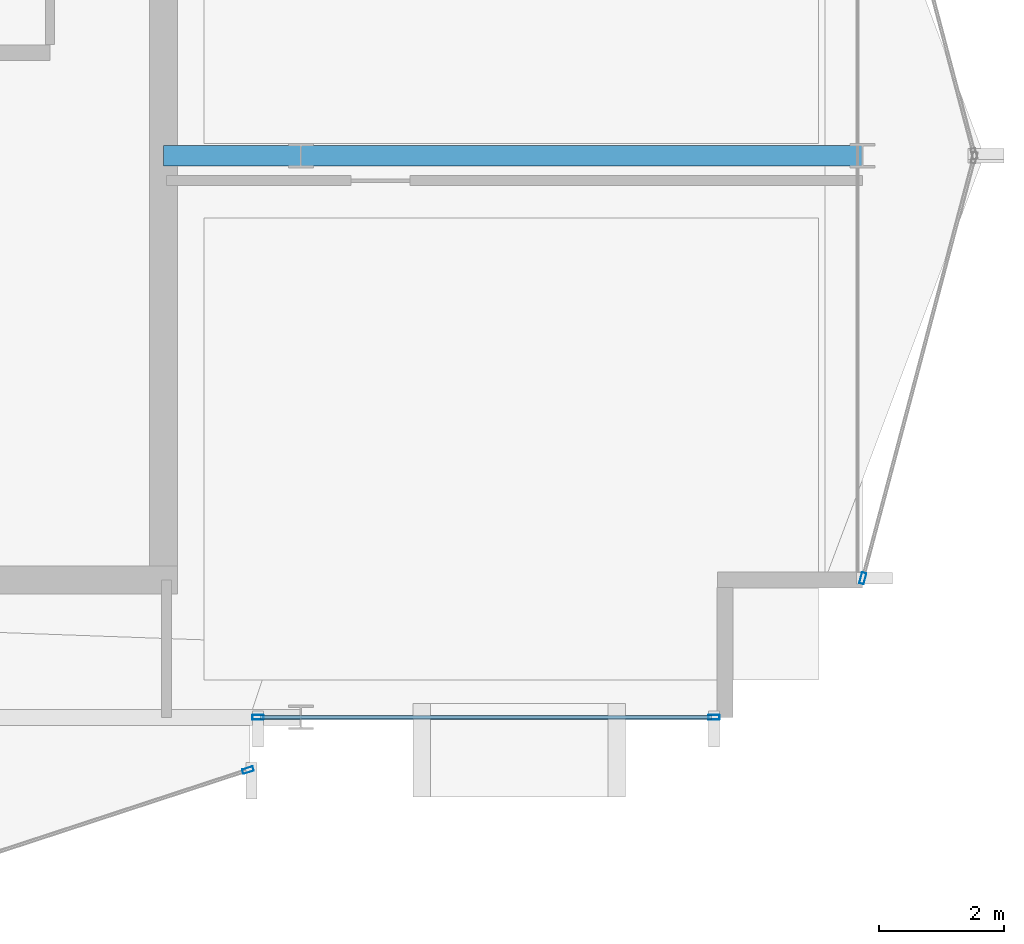
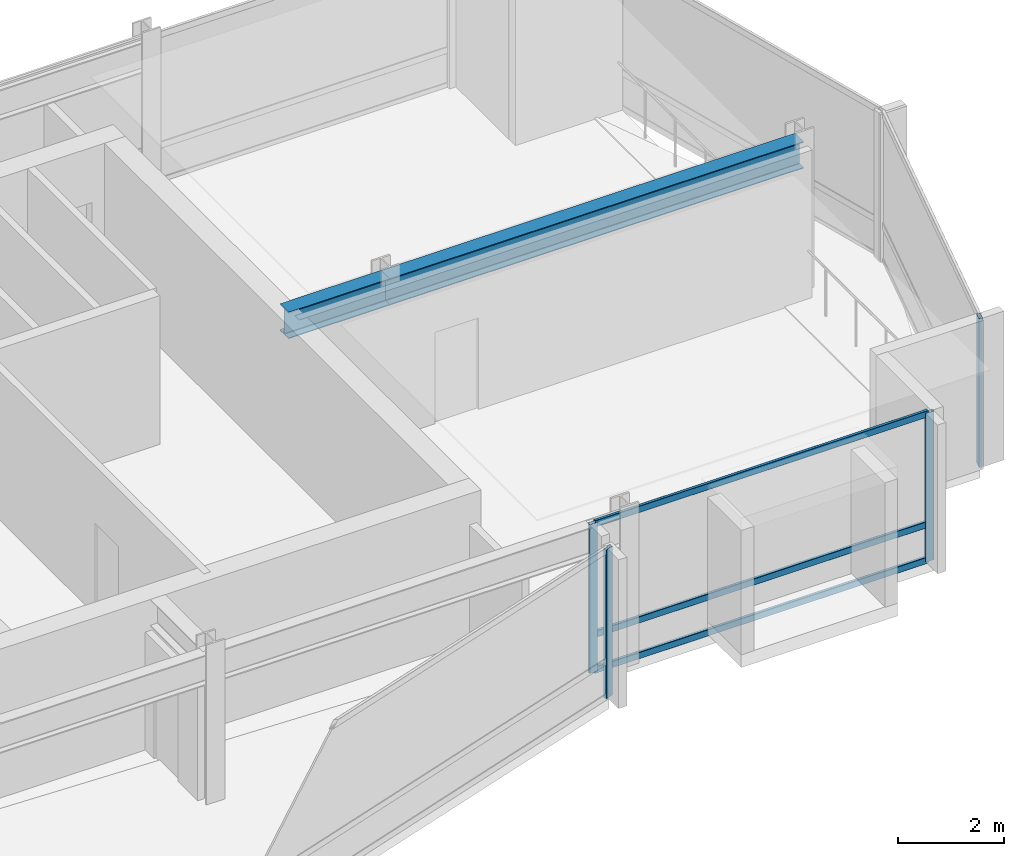
# One storey, part 10 of 27: 7 members, 2 beams, 3 elements without a shape of their own.
"""IFC4 building model written with IfcOpenShell, lengths in metres."""

from ifc_helpers import new_model, si_unit, direction, frame, origin, origin_2d, place, context, subcontext, project, spatial, hollow_rectangle, i_section, extrude, material, layer, layer_set, material_profile, profile_set, type_object, element, aggregate, save


model = new_model("IFC4")

# Units and contexts
model_context = context("Model", 3, precision=1e-05, world=origin(), true_north=direction((0.0, 1.0)))
body_context = subcontext(model_context, "Body", "Model", "MODEL_VIEW")
ifc_project = project(units=[si_unit("LENGTHUNIT", "METRE"), si_unit("AREAUNIT", "SQUARE_METRE"), si_unit("VOLUMEUNIT", "CUBIC_METRE"), si_unit("PLANEANGLEUNIT", "RADIAN"), si_unit("MASSUNIT", "GRAM", prefix="KILO")], contexts=[model_context])

# Site, building, storey
site_placement = place(None, origin())
site = spatial("IfcSite", under=ifc_project, at=site_placement, CompositionType="ELEMENT")
building_placement = place(site_placement, origin())
building = spatial("IfcBuilding", under=site, at=building_placement, Name="Solvaryn Broadcast Tower", CompositionType="ELEMENT")
storey_placement = place(building_placement, frame((0.0, 0.0, 224.699951171875)))
storey = spatial("IfcBuildingStorey", under=building, at=storey_placement, Name="L56", CompositionType="ELEMENT", Elevation=224.699951171875)

# Beams
ifc_material_1 = material(Name="Steel ASTM A992 Grade 50", Category="steel")
ifc_material_profile_1 = material_profile(ifc_material_1, i_section(OverallWidth=0.323974609375, OverallDepth=0.611083984375, WebThickness=0.0126953125, FlangeThickness=0.01904296875, FilletRadius=0.014892578125, at=origin_2d()))
ifc_profile_set_1 = profile_set([ifc_material_profile_1], Name="Steel ASTM A992 Grade 50")
beam_type = type_object("IfcBeamType", Name="BM-B1-W24X104", PredefinedType="BEAM", material=ifc_profile_set_1)
beam_1_placement = place(storey_placement, frame((45.0, 18.0, 3.114501953125), z_axis=(1.0, 0.0, 0.0), x_axis=(0.0, 1.0, 0.0)))
element("IfcBeam", 1, at=beam_1_placement, inside=storey, type_object=beam_type, Name="L56 Primary Beam X (45-54 @ Y=18)", PredefinedType="BEAM", context=body_context, shape_type="SweptSolid", body=[
    extrude(i_section(OverallWidth=0.323974609375, OverallDepth=0.611083984375, WebThickness=0.0126953125, FlangeThickness=0.01904296875, FilletRadius=0.014892578125, at=origin_2d()), origin(), (0.0, 0.0, 1.0), 9.0),
])
beam_2_placement = place(storey_placement, frame((42.800048828125, 18.0, 3.114501953125), z_axis=(1.0, 0.0, 0.0), x_axis=(0.0, 1.0, 0.0)))
element("IfcBeam", 2, at=beam_2_placement, inside=storey, type_object=beam_type, Name="L56 Core Tie Beam CTE3", PredefinedType="BEAM", context=body_context, shape_type="SweptSolid", body=[
    extrude(i_section(OverallWidth=0.323974609375, OverallDepth=0.611083984375, WebThickness=0.0126953125, FlangeThickness=0.01904296875, FilletRadius=0.014892578125, at=origin_2d()), origin(), (0.0, 0.0, 1.0), 2.199951171875),
])

# Curtain wall, member
ifc_material_2 = material(Name="Aluminium and Terracotta Unitised Curtain Wall", Category="masonry")
ifc_layer = layer(ifc_material_2, 0.199951171875)
ifc_layer_set = layer_set([ifc_layer], Name="CW-SYS2-LOWMID")
curtain_wall_type = type_object("IfcCurtainWallType", Name="CW-SYS2-LOWMID", PredefinedType="NOTDEFINED", material=ifc_layer_set)
curtain_wall_1_placement = place(storey_placement, origin())
curtain_wall_1 = element("IfcCurtainWall", 3, at=curtain_wall_1_placement, inside=storey, type_object=curtain_wall_type, Name="L56 Curtain Wall DR4", PredefinedType="NOTDEFINED")
ifc_material_3 = material(Name="Anodised Aluminium 6063-T6", Category="aluminium")
ifc_material_profile_2 = material_profile(ifc_material_3, hollow_rectangle(XDim=0.074951171875, YDim=0.179931640625, WallThickness=0.00390625, InnerFilletRadius=0.00390625, OuterFilletRadius=0.008056640625, at=origin_2d()))
ifc_profile_set_2 = profile_set([ifc_material_profile_2], Name="Anodised Aluminium 6063-T6")
member_type_1 = type_object("IfcMemberType", Name="CW-MUL-180", PredefinedType="MULLION", material=ifc_profile_set_2)
member_1_placement = place(storey_placement, frame((44.153564453125, 8.153564453125, 0.0), z_axis=(0.0, 0.0, 1.0), x_axis=(-0.311558717623, 0.950226902099, 0.0)))
member_1 = element("IfcMember", 4, at=member_1_placement, type_object=member_type_1, Name="CWS2 mullion 2", PredefinedType="MULLION", context=body_context, shape_type="SweptSolid", body=[
    extrude(hollow_rectangle(XDim=0.074951171875, YDim=0.179931640625, WallThickness=0.00390625, InnerFilletRadius=0.00390625, OuterFilletRadius=0.008056640625, at=origin_2d()), origin(), (0.0, 0.0, 1.0), 3.420166015625),
])
aggregate(curtain_wall_1, [member_1])

# Curtain wall, members
curtain_wall_2_placement = place(storey_placement, origin())
curtain_wall_2 = element("IfcCurtainWall", 5, at=curtain_wall_2_placement, inside=storey, type_object=curtain_wall_type, Name="L56 Curtain Wall S2", PredefinedType="NOTDEFINED")
member_2_placement = place(storey_placement, frame((44.31201171875, 9.0, 0.0), z_axis=(0.0, 0.0, 1.0), x_axis=(0.0, 1.0, 0.0)))
member_2 = element("IfcMember", 6, at=member_2_placement, type_object=member_type_1, Name="CWS2 mullion 1", PredefinedType="MULLION", context=body_context, shape_type="SweptSolid", body=[
    extrude(hollow_rectangle(XDim=0.074951171875, YDim=0.179931640625, WallThickness=0.00390625, InnerFilletRadius=0.00390625, OuterFilletRadius=0.008056640625, at=origin_2d()), origin(), (0.0, 0.0, 1.0), 3.420166015625),
])
member_3_placement = place(storey_placement, frame((51.6201171875, 9.0, 0.0), z_axis=(0.0, 0.0, 1.0), x_axis=(0.0, 1.0, 0.0)))
member_3 = element("IfcMember", 7, at=member_3_placement, type_object=member_type_1, Name="CWS2 mullion 2", PredefinedType="MULLION", context=body_context, shape_type="SweptSolid", body=[
    extrude(hollow_rectangle(XDim=0.074951171875, YDim=0.179931640625, WallThickness=0.00390625, InnerFilletRadius=0.00390625, OuterFilletRadius=0.008056640625, at=origin_2d()), origin(), (0.0, 0.0, 1.0), 3.420166015625),
])

# Curtain wall, member
curtain_wall_3_placement = place(storey_placement, origin())
curtain_wall_3 = element("IfcCurtainWall", 8, at=curtain_wall_3_placement, inside=storey, type_object=curtain_wall_type, Name="L56 Curtain Wall ET2", PredefinedType="NOTDEFINED")
member_4_placement = place(storey_placement, frame((54.007568359375, 11.22900390625, 0.0), z_axis=(0.0, 0.0, 1.0), x_axis=(0.966705227863, -0.25589256031, 0.0)))
member_4 = element("IfcMember", 9, at=member_4_placement, type_object=member_type_1, Name="CWS2 mullion 2", PredefinedType="MULLION", context=body_context, shape_type="SweptSolid", body=[
    extrude(hollow_rectangle(XDim=0.074951171875, YDim=0.179931640625, WallThickness=0.00390625, InnerFilletRadius=0.00390625, OuterFilletRadius=0.008056640625, at=origin_2d()), origin(), (0.0, 0.0, 1.0), 3.420166015625),
])
aggregate(curtain_wall_3, [member_4])

# Member
ifc_material_4 = material(Name="Anodised Aluminium 6063-T6", Category="aluminium")
ifc_material_profile_3 = material_profile(ifc_material_4, hollow_rectangle(XDim=0.06494140625, YDim=0.14990234375, WallThickness=0.00390625, InnerFilletRadius=0.00390625, OuterFilletRadius=0.008056640625, at=origin_2d()))
ifc_profile_set_3 = profile_set([ifc_material_profile_3], Name="Anodised Aluminium 6063-T6")
member_type_2 = type_object("IfcMemberType", Name="CW-TRN-150", PredefinedType="USERDEFINED", material=ifc_profile_set_3)
member_5_placement = place(storey_placement, frame((44.342041015625, 9.0, 0.030029296875), z_axis=(1.0, 0.0, 0.0), x_axis=(0.0, 1.0, 0.0)))
member_5 = element("IfcMember", 10, at=member_5_placement, type_object=member_type_2, Name="CWS2 transom 1.1", ObjectType="TRANSOM", PredefinedType="USERDEFINED", context=body_context, shape_type="SweptSolid", body=[
    extrude(hollow_rectangle(XDim=0.06494140625, YDim=0.14990234375, WallThickness=0.00390625, InnerFilletRadius=0.00390625, OuterFilletRadius=0.008056640625, at=origin_2d()), origin(), (0.0, 0.0, 1.0), 7.248046875),
])

member_6_placement = place(storey_placement, frame((44.342041015625, 9.0, 0.85009765625), z_axis=(1.0, 0.0, 0.0), x_axis=(0.0, 1.0, 0.0)))
member_6 = element("IfcMember", 11, at=member_6_placement, type_object=member_type_2, Name="CWS2 transom 1.2", ObjectType="TRANSOM", PredefinedType="USERDEFINED", context=body_context, shape_type="SweptSolid", body=[
    extrude(hollow_rectangle(XDim=0.06494140625, YDim=0.14990234375, WallThickness=0.00390625, InnerFilletRadius=0.00390625, OuterFilletRadius=0.008056640625, at=origin_2d()), origin(), (0.0, 0.0, 1.0), 7.248046875),
])

member_7_placement = place(storey_placement, frame((44.342041015625, 9.0, 3.39013671875), z_axis=(1.0, 0.0, 0.0), x_axis=(0.0, 1.0, 0.0)))
member_7 = element("IfcMember", 12, at=member_7_placement, type_object=member_type_2, Name="CWS2 transom 1.3", ObjectType="TRANSOM", PredefinedType="USERDEFINED", context=body_context, shape_type="SweptSolid", body=[
    extrude(hollow_rectangle(XDim=0.06494140625, YDim=0.14990234375, WallThickness=0.00390625, InnerFilletRadius=0.00390625, OuterFilletRadius=0.008056640625, at=origin_2d()), origin(), (0.0, 0.0, 1.0), 7.248046875),
])

aggregate(curtain_wall_2, [member_2, member_3, member_5, member_6, member_7])

save(model, "model.ifc")
